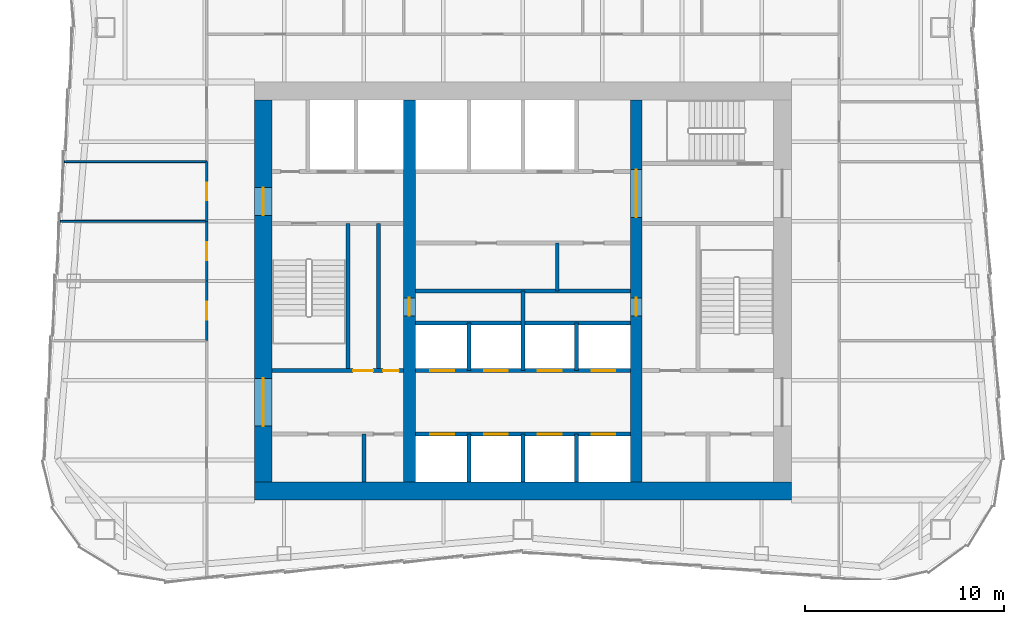
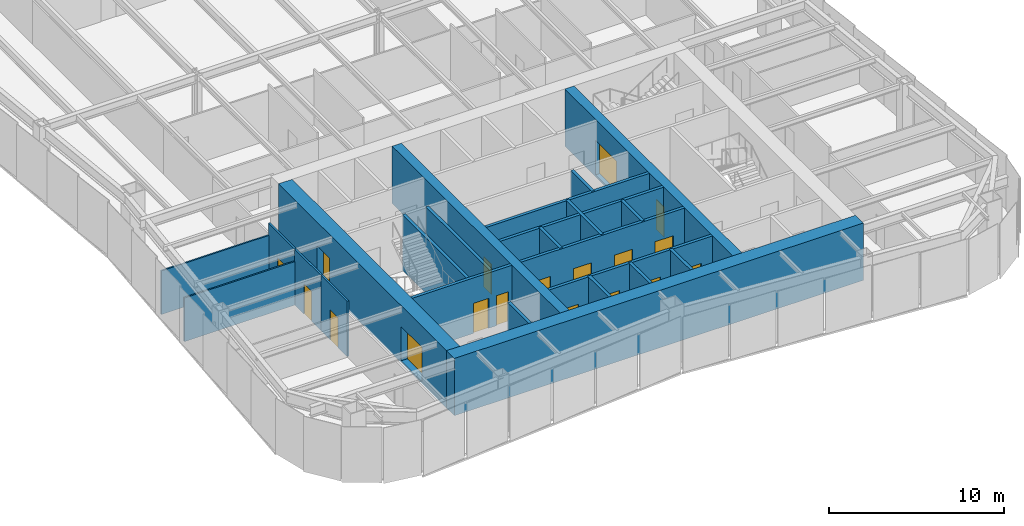
# One storey, part 5 of 10: 24 walls, 18 doors, 18 openings.
"""IFC4 building model written with IfcOpenShell, lengths in metres."""

from ifc_helpers import new_model, si_unit, direction, frame, frame_2d, origin, place, context, subcontext, project, spatial, rectangle, extrude, material, layer, layer_set, type_object, element, fill, save


model = new_model("IFC4")

# Units and contexts
model_context = context("Model", 3, precision=1e-05, world=origin(), true_north=direction((0.0, 1.0)))
body_context = subcontext(model_context, "Body", "Model", "MODEL_VIEW")
ifc_project = project(units=[si_unit("LENGTHUNIT", "METRE"), si_unit("AREAUNIT", "SQUARE_METRE"), si_unit("VOLUMEUNIT", "CUBIC_METRE"), si_unit("PLANEANGLEUNIT", "RADIAN"), si_unit("MASSUNIT", "GRAM", prefix="KILO")], contexts=[model_context])

# Site, building, storey
site_placement = place(None, origin())
site = spatial("IfcSite", under=ifc_project, at=site_placement, CompositionType="ELEMENT")
building_placement = place(site_placement, origin())
building = spatial("IfcBuilding", under=site, at=building_placement, Name="Verdant Reach Tower", CompositionType="ELEMENT")
storey_placement = place(building_placement, frame((0.0, 0.0, 190.0)))
storey = spatial("IfcBuildingStorey", under=building, at=storey_placement, Name="L43", CompositionType="ELEMENT", Elevation=190.0)

# Walls
ifc_material_1 = material(Name="Gypsum board on steel studs", Category="steel")
ifc_layer_1 = layer(ifc_material_1, 0.199951171875)
ifc_layer_set_1 = layer_set([ifc_layer_1], Name="CO-WALL-ROOM")
wall_type_1 = type_object("IfcWallType", Name="CO-WALL-ROOM", PredefinedType="PARTITIONING", material=ifc_layer_set_1)
wall_1_placement = place(storey_placement, frame((-5.39990234375, 28.0, 0.0), z_axis=(0.0, 0.0, 1.0), x_axis=(1.0, 0.0, 0.0)))
element("IfcWall", 1, at=wall_1_placement, inside=storey, type_object=wall_type_1, Name="Core partition, L43", PredefinedType="PARTITIONING", context=body_context, shape_type="SweptSolid", body=[
    extrude(rectangle(XDim=10.7998046875, YDim=0.199951171875, at=frame_2d((5.39990234375, 0.0))), origin(), (0.0, 0.0, 1.0), 3.8701171875),
])
wall_2_placement = place(storey_placement, frame((-7.97998046875, 18.39990234375, 0.0), z_axis=(0.0, 0.0, 1.0), x_axis=(0.0, 1.0, 0.0)))
element("IfcWall", 2, at=wall_2_placement, inside=storey, type_object=wall_type_1, Name="Core partition, L43", PredefinedType="PARTITIONING", context=body_context, shape_type="SweptSolid", body=[
    extrude(rectangle(XDim=2.400146484375, YDim=0.199951171875, at=frame_2d((1.2001953125, 0.0))), origin(), (0.0, 0.0, 1.0), 3.8701171875),
])
wall_3_placement = place(storey_placement, frame((-7.260009765625, 24.0, 0.0), z_axis=(0.0, 0.0, 1.0), x_axis=(0.0, 1.0, 0.0)))
element("IfcWall", 3, at=wall_3_placement, inside=storey, type_object=wall_type_1, Name="Core partition, L43", PredefinedType="PARTITIONING", context=body_context, shape_type="SweptSolid", body=[
    extrude(rectangle(XDim=7.39990234375, YDim=0.199951171875, at=frame_2d((3.699951171875, 0.0))), origin(), (0.0, 0.0, 1.0), 3.8701171875),
])
wall_4_placement = place(storey_placement, frame((1.72802734375, 28.0, 0.0), z_axis=(0.0, 0.0, 1.0), x_axis=(0.0, 1.0, 0.0)))
element("IfcWall", 4, at=wall_4_placement, inside=storey, type_object=wall_type_1, Name="Core partition, L43", PredefinedType="PARTITIONING", context=body_context, shape_type="SweptSolid", body=[
    extrude(rectangle(XDim=2.39990234375, YDim=0.199951171875, at=frame_2d((1.199951171875, 0.0))), origin(), (0.0, 0.0, 1.0), 3.8701171875),
])

# Wall, openings, doors
ifc_material_2 = material(Name="Concrete C40/50", Category="concrete")
ifc_layer_2 = layer(ifc_material_2, 0.199951171875)
ifc_layer_set_2 = layer_set([ifc_layer_2], Name="CO-WALL-SHAFT")
wall_type_2 = type_object("IfcWallType", Name="CO-WALL-SHAFT", PredefinedType="PARTITIONING", material=ifc_layer_set_2)
wall_5_placement = place(storey_placement, frame((-5.39990234375, 20.800048828125, 0.0), z_axis=(0.0, 0.0, 1.0), x_axis=(1.0, 0.0, 0.0)))
wall_5 = element("IfcWall", 5, at=wall_5_placement, inside=storey, type_object=wall_type_2, Name="Lift shaft wall, L43", PredefinedType="PARTITIONING", context=body_context, shape_type="SweptSolid", body=[
    extrude(rectangle(XDim=10.7998046875, YDim=0.199951171875, at=frame_2d((5.39990234375, 0.0))), origin(), (0.0, 0.0, 1.0), 3.8701171875),
])
opening_1_placement = place(wall_5_placement, frame((0.75, 0.0, 0.0)))
opening_1 = element("IfcOpeningElement", 6, at=opening_1_placement, cuts=wall_5, Name="Opening LD-B1", PredefinedType="OPENING", context=body_context, shape_type="SweptSolid", body=[
    extrude(rectangle(XDim=1.199951171875, YDim=2.199951171875, at=frame_2d((0.60009765625, 1.10009765625))), frame((0.0, 0.10986328125, 0.0), z_axis=(0.0, -1.0, 0.0), x_axis=(1.0, 0.0, 0.0)), (0.0, 0.0, 1.0), 0.219970703125),
])
opening_2_placement = place(wall_5_placement, frame((3.449951171875, 0.0, 0.0)))
opening_2 = element("IfcOpeningElement", 7, at=opening_2_placement, cuts=wall_5, Name="Opening LD-B2", PredefinedType="OPENING", context=body_context, shape_type="SweptSolid", body=[
    extrude(rectangle(XDim=1.199951171875, YDim=2.199951171875, at=frame_2d((0.60009765625, 1.10009765625))), frame((0.0, 0.10986328125, 0.0), z_axis=(0.0, -1.0, 0.0), x_axis=(1.0, 0.0, 0.0)), (0.0, 0.0, 1.0), 0.219970703125),
])
opening_3_placement = place(wall_5_placement, frame((6.14990234375, 0.0, 0.0)))
opening_3 = element("IfcOpeningElement", 8, at=opening_3_placement, cuts=wall_5, Name="Opening LD-B3", PredefinedType="OPENING", context=body_context, shape_type="SweptSolid", body=[
    extrude(rectangle(XDim=1.199951171875, YDim=2.199951171875, at=frame_2d((0.60009765625, 1.10009765625))), frame((0.0, 0.10986328125, 0.0), z_axis=(0.0, -1.0, 0.0), x_axis=(1.0, 0.0, 0.0)), (0.0, 0.0, 1.0), 0.219970703125),
])
opening_4_placement = place(wall_5_placement, frame((8.85009765625, 0.0, 0.0)))
opening_4 = element("IfcOpeningElement", 9, at=opening_4_placement, cuts=wall_5, Name="Opening LD-B4", PredefinedType="OPENING", context=body_context, shape_type="SweptSolid", body=[
    extrude(rectangle(XDim=1.199951171875, YDim=2.199951171875, at=frame_2d((0.60009765625, 1.10009765625))), frame((0.0, 0.10986328125, 0.0), z_axis=(0.0, -1.0, 0.0), x_axis=(1.0, 0.0, 0.0)), (0.0, 0.0, 1.0), 0.219970703125),
])
ifc_material_3 = material(Name="Stainless steel", Category="steel")
door_type_1 = type_object("IfcDoorType", Name="CO-DOOR-LANDING", OperationType="SLIDING_TO_LEFT", PredefinedType="DOOR", material=ifc_material_3)
door_1_placement = place(opening_1_placement, origin())
door_1 = element("IfcDoor", 10, at=door_1_placement, inside=storey, type_object=door_type_1, Name="Landing door B1, L43", OperationType="SLIDING_TO_LEFT", OverallHeight=2.199951171875, OverallWidth=1.199951171875, PredefinedType="DOOR", context=body_context, shape_type="SweptSolid", body=[
    extrude(rectangle(XDim=1.199951171875, YDim=2.199951171875, at=frame_2d((0.60009765625, 1.10009765625))), frame((0.0, 0.02490234375, 0.0), z_axis=(0.0, -1.0, 0.0), x_axis=(1.0, 0.0, 0.0)), (0.0, 0.0, 1.0), 0.050048828125),
])
fill(opening_1, door_1)
door_2_placement = place(opening_2_placement, origin())
door_2 = element("IfcDoor", 11, at=door_2_placement, inside=storey, type_object=door_type_1, Name="Landing door B2, L43", OperationType="SLIDING_TO_LEFT", OverallHeight=2.199951171875, OverallWidth=1.199951171875, PredefinedType="DOOR", context=body_context, shape_type="SweptSolid", body=[
    extrude(rectangle(XDim=1.199951171875, YDim=2.199951171875, at=frame_2d((0.60009765625, 1.10009765625))), frame((0.0, 0.02490234375, 0.0), z_axis=(0.0, -1.0, 0.0), x_axis=(1.0, 0.0, 0.0)), (0.0, 0.0, 1.0), 0.050048828125),
])
fill(opening_2, door_2)
door_3_placement = place(opening_3_placement, origin())
door_3 = element("IfcDoor", 12, at=door_3_placement, inside=storey, type_object=door_type_1, Name="Landing door B3, L43", OperationType="SLIDING_TO_LEFT", OverallHeight=2.199951171875, OverallWidth=1.199951171875, PredefinedType="DOOR", context=body_context, shape_type="SweptSolid", body=[
    extrude(rectangle(XDim=1.199951171875, YDim=2.199951171875, at=frame_2d((0.60009765625, 1.10009765625))), frame((0.0, 0.02490234375, 0.0), z_axis=(0.0, -1.0, 0.0), x_axis=(1.0, 0.0, 0.0)), (0.0, 0.0, 1.0), 0.050048828125),
])
fill(opening_3, door_3)
door_4_placement = place(opening_4_placement, origin())
door_4 = element("IfcDoor", 13, at=door_4_placement, inside=storey, type_object=door_type_1, Name="Landing door B4, L43", OperationType="SLIDING_TO_LEFT", OverallHeight=2.199951171875, OverallWidth=1.199951171875, PredefinedType="DOOR", context=body_context, shape_type="SweptSolid", body=[
    extrude(rectangle(XDim=1.199951171875, YDim=2.199951171875, at=frame_2d((0.60009765625, 1.10009765625))), frame((0.0, 0.02490234375, 0.0), z_axis=(0.0, -1.0, 0.0), x_axis=(1.0, 0.0, 0.0)), (0.0, 0.0, 1.0), 0.050048828125),
])
fill(opening_4, door_4)

wall_6_placement = place(storey_placement, frame((-5.39990234375, 24.0, 0.0), z_axis=(0.0, 0.0, 1.0), x_axis=(1.0, 0.0, 0.0)))
wall_6 = element("IfcWall", 14, at=wall_6_placement, inside=storey, type_object=wall_type_2, Name="Lift shaft wall, L43", PredefinedType="PARTITIONING", context=body_context, shape_type="SweptSolid", body=[
    extrude(rectangle(XDim=10.7998046875, YDim=0.199951171875, at=frame_2d((5.39990234375, 0.0))), origin(), (0.0, 0.0, 1.0), 3.8701171875),
])
opening_5_placement = place(wall_6_placement, frame((0.75, 0.0, 0.0)))
opening_5 = element("IfcOpeningElement", 15, at=opening_5_placement, cuts=wall_6, Name="Opening LD-A5", PredefinedType="OPENING", context=body_context, shape_type="SweptSolid", body=[
    extrude(rectangle(XDim=1.199951171875, YDim=2.199951171875, at=frame_2d((0.60009765625, 1.10009765625))), frame((0.0, 0.10986328125, 0.0), z_axis=(0.0, -1.0, 0.0), x_axis=(1.0, 0.0, 0.0)), (0.0, 0.0, 1.0), 0.219970703125),
])
opening_6_placement = place(wall_6_placement, frame((3.449951171875, 0.0, 0.0)))
opening_6 = element("IfcOpeningElement", 16, at=opening_6_placement, cuts=wall_6, Name="Opening LD-A6", PredefinedType="OPENING", context=body_context, shape_type="SweptSolid", body=[
    extrude(rectangle(XDim=1.199951171875, YDim=2.199951171875, at=frame_2d((0.60009765625, 1.10009765625))), frame((0.0, 0.10986328125, 0.0), z_axis=(0.0, -1.0, 0.0), x_axis=(1.0, 0.0, 0.0)), (0.0, 0.0, 1.0), 0.219970703125),
])
opening_7_placement = place(wall_6_placement, frame((6.14990234375, 0.0, 0.0)))
opening_7 = element("IfcOpeningElement", 17, at=opening_7_placement, cuts=wall_6, Name="Opening LD-A7", PredefinedType="OPENING", context=body_context, shape_type="SweptSolid", body=[
    extrude(rectangle(XDim=1.199951171875, YDim=2.199951171875, at=frame_2d((0.60009765625, 1.10009765625))), frame((0.0, 0.10986328125, 0.0), z_axis=(0.0, -1.0, 0.0), x_axis=(1.0, 0.0, 0.0)), (0.0, 0.0, 1.0), 0.219970703125),
])
opening_8_placement = place(wall_6_placement, frame((8.85009765625, 0.0, 0.0)))
opening_8 = element("IfcOpeningElement", 18, at=opening_8_placement, cuts=wall_6, Name="Opening LD-A8", PredefinedType="OPENING", context=body_context, shape_type="SweptSolid", body=[
    extrude(rectangle(XDim=1.199951171875, YDim=2.199951171875, at=frame_2d((0.60009765625, 1.10009765625))), frame((0.0, 0.10986328125, 0.0), z_axis=(0.0, -1.0, 0.0), x_axis=(1.0, 0.0, 0.0)), (0.0, 0.0, 1.0), 0.219970703125),
])
door_5_placement = place(opening_5_placement, origin())
door_5 = element("IfcDoor", 19, at=door_5_placement, inside=storey, type_object=door_type_1, Name="Landing door A5, L43", OperationType="SLIDING_TO_LEFT", OverallHeight=2.199951171875, OverallWidth=1.199951171875, PredefinedType="DOOR", context=body_context, shape_type="SweptSolid", body=[
    extrude(rectangle(XDim=1.199951171875, YDim=2.199951171875, at=frame_2d((0.60009765625, 1.10009765625))), frame((0.0, 0.02490234375, 0.0), z_axis=(0.0, -1.0, 0.0), x_axis=(1.0, 0.0, 0.0)), (0.0, 0.0, 1.0), 0.050048828125),
])
fill(opening_5, door_5)
door_6_placement = place(opening_6_placement, origin())
door_6 = element("IfcDoor", 20, at=door_6_placement, inside=storey, type_object=door_type_1, Name="Landing door A6, L43", OperationType="SLIDING_TO_LEFT", OverallHeight=2.199951171875, OverallWidth=1.199951171875, PredefinedType="DOOR", context=body_context, shape_type="SweptSolid", body=[
    extrude(rectangle(XDim=1.199951171875, YDim=2.199951171875, at=frame_2d((0.60009765625, 1.10009765625))), frame((0.0, 0.02490234375, 0.0), z_axis=(0.0, -1.0, 0.0), x_axis=(1.0, 0.0, 0.0)), (0.0, 0.0, 1.0), 0.050048828125),
])
fill(opening_6, door_6)
door_7_placement = place(opening_7_placement, origin())
door_7 = element("IfcDoor", 21, at=door_7_placement, inside=storey, type_object=door_type_1, Name="Landing door A7, L43", OperationType="SLIDING_TO_LEFT", OverallHeight=2.199951171875, OverallWidth=1.199951171875, PredefinedType="DOOR", context=body_context, shape_type="SweptSolid", body=[
    extrude(rectangle(XDim=1.199951171875, YDim=2.199951171875, at=frame_2d((0.60009765625, 1.10009765625))), frame((0.0, 0.02490234375, 0.0), z_axis=(0.0, -1.0, 0.0), x_axis=(1.0, 0.0, 0.0)), (0.0, 0.0, 1.0), 0.050048828125),
])
fill(opening_7, door_7)
door_8_placement = place(opening_8_placement, origin())
door_8 = element("IfcDoor", 22, at=door_8_placement, inside=storey, type_object=door_type_1, Name="Landing door A8, L43", OperationType="SLIDING_TO_LEFT", OverallHeight=2.199951171875, OverallWidth=1.199951171875, PredefinedType="DOOR", context=body_context, shape_type="SweptSolid", body=[
    extrude(rectangle(XDim=1.199951171875, YDim=2.199951171875, at=frame_2d((0.60009765625, 1.10009765625))), frame((0.0, 0.02490234375, 0.0), z_axis=(0.0, -1.0, 0.0), x_axis=(1.0, 0.0, 0.0)), (0.0, 0.0, 1.0), 0.050048828125),
])
fill(opening_8, door_8)

# Walls
wall_7_placement = place(storey_placement, frame((-5.39990234375, 26.39990234375, 0.0), z_axis=(0.0, 0.0, 1.0), x_axis=(1.0, 0.0, 0.0)))
element("IfcWall", 23, at=wall_7_placement, inside=storey, type_object=wall_type_2, Name="Lift shaft wall, L43", PredefinedType="PARTITIONING", context=body_context, shape_type="SweptSolid", body=[
    extrude(rectangle(XDim=10.7998046875, YDim=0.199951171875, at=frame_2d((5.39990234375, 0.0))), origin(), (0.0, 0.0, 1.0), 3.8701171875),
])
wall_8_placement = place(storey_placement, frame((-2.699951171875, 18.39990234375, 0.0), z_axis=(0.0, 0.0, 1.0), x_axis=(0.0, 1.0, 0.0)))
element("IfcWall", 24, at=wall_8_placement, inside=storey, type_object=wall_type_2, Name="Lift shaft wall, L43", PredefinedType="PARTITIONING", context=body_context, shape_type="SweptSolid", body=[
    extrude(rectangle(XDim=2.400146484375, YDim=0.199951171875, at=frame_2d((1.2001953125, 0.0))), origin(), (0.0, 0.0, 1.0), 3.8701171875),
])
wall_9_placement = place(storey_placement, frame((-2.699951171875, 24.0, 0.0), z_axis=(0.0, 0.0, 1.0), x_axis=(0.0, 1.0, 0.0)))
element("IfcWall", 25, at=wall_9_placement, inside=storey, type_object=wall_type_2, Name="Lift shaft wall, L43", PredefinedType="PARTITIONING", context=body_context, shape_type="SweptSolid", body=[
    extrude(rectangle(XDim=2.39990234375, YDim=0.199951171875, at=frame_2d((1.199951171875, 0.0))), origin(), (0.0, 0.0, 1.0), 3.8701171875),
])
wall_10_placement = place(storey_placement, frame((0.0, 18.39990234375, 0.0), z_axis=(0.0, 0.0, 1.0), x_axis=(0.0, 1.0, 0.0)))
element("IfcWall", 26, at=wall_10_placement, inside=storey, type_object=wall_type_2, Name="Lift shaft wall, L43", PredefinedType="PARTITIONING", context=body_context, shape_type="SweptSolid", body=[
    extrude(rectangle(XDim=2.400146484375, YDim=0.199951171875, at=frame_2d((1.2001953125, 0.0))), origin(), (0.0, 0.0, 1.0), 3.8701171875),
])
wall_11_placement = place(storey_placement, frame((0.0, 24.0, 0.0), z_axis=(0.0, 0.0, 1.0), x_axis=(0.0, 1.0, 0.0)))
element("IfcWall", 27, at=wall_11_placement, inside=storey, type_object=wall_type_2, Name="Lift shaft wall, L43", PredefinedType="PARTITIONING", context=body_context, shape_type="SweptSolid", body=[
    extrude(rectangle(XDim=4.0, YDim=0.199951171875, at=frame_2d((2.0, 0.0))), origin(), (0.0, 0.0, 1.0), 3.8701171875),
])
wall_12_placement = place(storey_placement, frame((2.699951171875, 18.39990234375, 0.0), z_axis=(0.0, 0.0, 1.0), x_axis=(0.0, 1.0, 0.0)))
element("IfcWall", 28, at=wall_12_placement, inside=storey, type_object=wall_type_2, Name="Lift shaft wall, L43", PredefinedType="PARTITIONING", context=body_context, shape_type="SweptSolid", body=[
    extrude(rectangle(XDim=2.400146484375, YDim=0.199951171875, at=frame_2d((1.2001953125, 0.0))), origin(), (0.0, 0.0, 1.0), 3.8701171875),
])
wall_13_placement = place(storey_placement, frame((2.699951171875, 24.0, 0.0), z_axis=(0.0, 0.0, 1.0), x_axis=(0.0, 1.0, 0.0)))
element("IfcWall", 29, at=wall_13_placement, inside=storey, type_object=wall_type_2, Name="Lift shaft wall, L43", PredefinedType="PARTITIONING", context=body_context, shape_type="SweptSolid", body=[
    extrude(rectangle(XDim=2.39990234375, YDim=0.199951171875, at=frame_2d((1.199951171875, 0.0))), origin(), (0.0, 0.0, 1.0), 3.8701171875),
])

# Wall, openings, doors
ifc_layer_3 = layer(ifc_material_2, 0.199951171875)
ifc_layer_set_3 = layer_set([ifc_layer_3], Name="CO-WALL-STAIR")
wall_type_3 = type_object("IfcWallType", Name="CO-WALL-STAIR", PredefinedType="PARTITIONING", material=ifc_layer_set_3)
wall_14_placement = place(storey_placement, frame((-12.60009765625, 24.0, 0.0), z_axis=(0.0, 0.0, 1.0), x_axis=(1.0, 0.0, 0.0)))
wall_14 = element("IfcWall", 30, at=wall_14_placement, inside=storey, type_object=wall_type_3, Name="Stair enclosure wall, L43", PredefinedType="PARTITIONING", context=body_context, shape_type="SweptSolid", body=[
    extrude(rectangle(XDim=6.60009765625, YDim=0.199951171875, at=frame_2d((3.300048828125, 0.0))), origin(), (0.0, 0.0, 1.0), 3.8701171875),
])
opening_9_placement = place(wall_14_placement, frame((4.070068359375, 0.0, 0.0)))
opening_9 = element("IfcOpeningElement", 31, at=opening_9_placement, cuts=wall_14, Name="Opening CD", PredefinedType="OPENING", context=body_context, shape_type="SweptSolid", body=[
    extrude(rectangle(XDim=1.0, YDim=2.10009765625, at=frame_2d((0.5, 1.050048828125))), frame((0.0, 0.10986328125, 0.0), z_axis=(0.0, -1.0, 0.0), x_axis=(1.0, 0.0, 0.0)), (0.0, 0.0, 1.0), 0.219970703125),
])
opening_10_placement = place(wall_14_placement, frame((5.570068359375, 0.0, 0.0)))
opening_10 = element("IfcOpeningElement", 32, at=opening_10_placement, cuts=wall_14, Name="Opening CDN", PredefinedType="OPENING", context=body_context, shape_type="SweptSolid", body=[
    extrude(rectangle(XDim=0.800048828125, YDim=2.10009765625, at=frame_2d((0.39990234375, 1.050048828125))), frame((0.0, 0.10986328125, 0.0), z_axis=(0.0, -1.0, 0.0), x_axis=(1.0, 0.0, 0.0)), (0.0, 0.0, 1.0), 0.219970703125),
])
ifc_material_4 = material(Name="Timber", Category="wood")
door_type_2 = type_object("IfcDoorType", Name="CO-DOOR-ROOM", OperationType="NOTDEFINED", PredefinedType="DOOR", material=ifc_material_4)
door_9_placement = place(opening_9_placement, origin())
door_9 = element("IfcDoor", 33, at=door_9_placement, inside=storey, type_object=door_type_2, Name="Core room door, L43", OperationType="SINGLE_SWING_RIGHT", OverallHeight=2.10009765625, OverallWidth=1.0, PredefinedType="DOOR", context=body_context, shape_type="SweptSolid", body=[
    extrude(rectangle(XDim=1.0, YDim=2.10009765625, at=frame_2d((0.5, 1.050048828125))), frame((0.0, 0.02490234375, 0.0), z_axis=(0.0, -1.0, 0.0), x_axis=(1.0, 0.0, 0.0)), (0.0, 0.0, 1.0), 0.050048828125),
])
fill(opening_9, door_9)
door_type_3 = type_object("IfcDoorType", Name="CO-DOOR-ROOM-NARROW", OperationType="NOTDEFINED", PredefinedType="DOOR", material=ifc_material_4)
door_10_placement = place(opening_10_placement, origin())
door_10 = element("IfcDoor", 34, at=door_10_placement, inside=storey, type_object=door_type_3, Name="Core room door, L43", OperationType="SINGLE_SWING_LEFT", OverallHeight=2.10009765625, OverallWidth=0.800048828125, PredefinedType="DOOR", context=body_context, shape_type="SweptSolid", body=[
    extrude(rectangle(XDim=0.800048828125, YDim=2.10009765625, at=frame_2d((0.39990234375, 1.050048828125))), frame((0.0, 0.02490234375, 0.0), z_axis=(0.0, -1.0, 0.0), x_axis=(1.0, 0.0, 0.0)), (0.0, 0.0, 1.0), 0.050048828125),
])
fill(opening_10, door_10)

# Walls
wall_15_placement = place(storey_placement, frame((-8.800048828125, 24.0, 0.0), z_axis=(0.0, 0.0, 1.0), x_axis=(0.0, 1.0, 0.0)))
element("IfcWall", 35, at=wall_15_placement, inside=storey, type_object=wall_type_3, Name="Stair enclosure wall, L43", PredefinedType="PARTITIONING", context=body_context, shape_type="SweptSolid", body=[
    extrude(rectangle(XDim=7.39990234375, YDim=0.199951171875, at=frame_2d((3.699951171875, 0.0))), origin(), (0.0, 0.0, 1.0), 3.8701171875),
])
ifc_layer_4 = layer(ifc_material_1, 0.10009765625)
ifc_layer_set_4 = layer_set([ifc_layer_4], Name="FL-W1 Partition 100")
wall_type_4 = type_object("IfcWallType", Name="FL-W1 Partition 100", PredefinedType="PARTITIONING", material=ifc_layer_set_4)
wall_16_placement = place(storey_placement, frame((-15.89990234375, 31.5, 0.0), z_axis=(0.0, 0.0, 1.0), x_axis=(-1.0, 0.0, 0.0)))
element("IfcWall", 36, at=wall_16_placement, inside=storey, type_object=wall_type_4, Name="Partition 43.41", PredefinedType="PARTITIONING", context=body_context, shape_type="SweptSolid", body=[
    extrude(rectangle(XDim=7.3525390625, YDim=0.10009765625, at=frame_2d((3.67626953125, 0.0))), origin(), (0.0, 0.0, 1.0), 3.0400390625),
])
wall_17_placement = place(storey_placement, frame((-15.89990234375, 34.5, 0.0), z_axis=(0.0, 0.0, 1.0), x_axis=(-1.0, 0.0, 0.0)))
element("IfcWall", 37, at=wall_17_placement, inside=storey, type_object=wall_type_4, Name="Partition 43.42", PredefinedType="PARTITIONING", context=body_context, shape_type="SweptSolid", body=[
    extrude(rectangle(XDim=7.1455078125, YDim=0.10009765625, at=frame_2d((3.57275390625, 0.0))), origin(), (0.0, 0.0, 1.0), 3.0400390625),
])

# Wall, opening, door
ifc_material_5 = material(Name="Gypsum board on steel studs, fire rated", Category="steel")
ifc_layer_5 = layer(ifc_material_5, 0.125)
ifc_layer_set_5 = layer_set([ifc_layer_5], Name="FL-W2 Corridor wall 125")
wall_type_5 = type_object("IfcWallType", Name="FL-W2 Corridor wall 125", PredefinedType="PARTITIONING", material=ifc_layer_set_5)
wall_18_placement = place(storey_placement, frame((-15.89990234375, 25.5, 0.0), z_axis=(0.0, 0.0, 1.0), x_axis=(0.0, 1.0, 0.0)))
wall_18 = element("IfcWall", 38, at=wall_18_placement, inside=storey, type_object=wall_type_5, Name="Partition 43.08", PredefinedType="PARTITIONING", context=body_context, shape_type="SweptSolid", body=[
    extrude(rectangle(XDim=3.0, YDim=0.125, at=frame_2d((1.5, 0.0))), origin(), (0.0, 0.0, 1.0), 3.8701171875),
])
opening_11_placement = place(wall_18_placement, frame((1.050048828125, 0.0, 0.0)))
opening_11 = element("IfcOpeningElement", 39, at=opening_11_placement, cuts=wall_18, Name="Opening D1", PredefinedType="OPENING", context=body_context, shape_type="SweptSolid", body=[
    extrude(rectangle(XDim=0.89990234375, YDim=2.10009765625, at=frame_2d((0.449951171875, 1.050048828125))), frame((0.0, 0.072509765625, 0.0), z_axis=(0.0, -1.0, 0.0), x_axis=(1.0, 0.0, 0.0)), (0.0, 0.0, 1.0), 0.14501953125),
])
ifc_material_6 = material(Name="Painted timber door leaf", Category="wood")
door_type_4 = type_object("IfcDoorType", Name="FL-D1 Door 900x2100", OperationType="NOTDEFINED", PredefinedType="DOOR", material=ifc_material_6)
door_11_placement = place(opening_11_placement, origin())
door_11 = element("IfcDoor", 40, at=door_11_placement, inside=storey, type_object=door_type_4, Name="Door 43-006", OperationType="SINGLE_SWING_RIGHT", OverallHeight=2.10009765625, OverallWidth=0.89990234375, PredefinedType="DOOR", context=body_context, shape_type="SweptSolid", body=[
    extrude(rectangle(XDim=0.89990234375, YDim=2.10009765625, at=frame_2d((0.449951171875, 1.050048828125))), frame((0.0, 0.02490234375, 0.0), z_axis=(0.0, -1.0, 0.0), x_axis=(1.0, 0.0, 0.0)), (0.0, 0.0, 1.0), 0.050048828125),
])
fill(opening_11, door_11)

wall_19_placement = place(storey_placement, frame((-15.89990234375, 28.5, 0.0), z_axis=(0.0, 0.0, 1.0), x_axis=(0.0, 1.0, 0.0)))
wall_19 = element("IfcWall", 41, at=wall_19_placement, inside=storey, type_object=wall_type_5, Name="Partition 43.09", PredefinedType="PARTITIONING", context=body_context, shape_type="SweptSolid", body=[
    extrude(rectangle(XDim=3.0, YDim=0.125, at=frame_2d((1.5, 0.0))), origin(), (0.0, 0.0, 1.0), 3.8701171875),
])
opening_12_placement = place(wall_19_placement, frame((1.050048828125, 0.0, 0.0)))
opening_12 = element("IfcOpeningElement", 42, at=opening_12_placement, cuts=wall_19, Name="Opening D1", PredefinedType="OPENING", context=body_context, shape_type="SweptSolid", body=[
    extrude(rectangle(XDim=0.89990234375, YDim=2.10009765625, at=frame_2d((0.449951171875, 1.050048828125))), frame((0.0, 0.072509765625, 0.0), z_axis=(0.0, -1.0, 0.0), x_axis=(1.0, 0.0, 0.0)), (0.0, 0.0, 1.0), 0.14501953125),
])
door_12_placement = place(opening_12_placement, origin())
door_12 = element("IfcDoor", 43, at=door_12_placement, inside=storey, type_object=door_type_4, Name="Door 43-007", OperationType="SINGLE_SWING_LEFT", OverallHeight=2.10009765625, OverallWidth=0.89990234375, PredefinedType="DOOR", context=body_context, shape_type="SweptSolid", body=[
    extrude(rectangle(XDim=0.89990234375, YDim=2.10009765625, at=frame_2d((0.449951171875, 1.050048828125))), frame((0.0, 0.02490234375, 0.0), z_axis=(0.0, -1.0, 0.0), x_axis=(1.0, 0.0, 0.0)), (0.0, 0.0, 1.0), 0.050048828125),
])
fill(opening_12, door_12)

wall_20_placement = place(storey_placement, frame((-15.89990234375, 31.5, 0.0), z_axis=(0.0, 0.0, 1.0), x_axis=(0.0, 1.0, 0.0)))
wall_20 = element("IfcWall", 44, at=wall_20_placement, inside=storey, type_object=wall_type_5, Name="Partition 43.10", PredefinedType="PARTITIONING", context=body_context, shape_type="SweptSolid", body=[
    extrude(rectangle(XDim=3.0, YDim=0.125, at=frame_2d((1.5, 0.0))), origin(), (0.0, 0.0, 1.0), 3.8701171875),
])
opening_13_placement = place(wall_20_placement, frame((1.050048828125, 0.0, 0.0)))
opening_13 = element("IfcOpeningElement", 45, at=opening_13_placement, cuts=wall_20, Name="Opening D1", PredefinedType="OPENING", context=body_context, shape_type="SweptSolid", body=[
    extrude(rectangle(XDim=0.89990234375, YDim=2.10009765625, at=frame_2d((0.449951171875, 1.050048828125))), frame((0.0, 0.072509765625, 0.0), z_axis=(0.0, -1.0, 0.0), x_axis=(1.0, 0.0, 0.0)), (0.0, 0.0, 1.0), 0.14501953125),
])
door_13_placement = place(opening_13_placement, origin())
door_13 = element("IfcDoor", 46, at=door_13_placement, inside=storey, type_object=door_type_4, Name="Door 43-008", OperationType="SINGLE_SWING_RIGHT", OverallHeight=2.10009765625, OverallWidth=0.89990234375, PredefinedType="DOOR", context=body_context, shape_type="SweptSolid", body=[
    extrude(rectangle(XDim=0.89990234375, YDim=2.10009765625, at=frame_2d((0.449951171875, 1.050048828125))), frame((0.0, 0.02490234375, 0.0), z_axis=(0.0, -1.0, 0.0), x_axis=(1.0, 0.0, 0.0)), (0.0, 0.0, 1.0), 0.050048828125),
])
fill(opening_13, door_13)

ifc_material_7 = material(Name="Concrete C70/85", Category="concrete")
ifc_layer_6 = layer(ifc_material_7, 0.60009765625)
ifc_layer_set_6 = layer_set([ifc_layer_6], Name="ST-CORE-WALL-600")
wall_type_6 = type_object("IfcWallType", Name="ST-CORE-WALL-600", PredefinedType="SHEAR", material=ifc_layer_set_6)
wall_21_placement = place(storey_placement, frame((-5.699951171875, 18.39990234375, -0.1298828125), z_axis=(0.0, 0.0, 1.0), x_axis=(0.0, 1.0, 0.0)))
wall_21 = element("IfcWall", 47, at=wall_21_placement, inside=storey, type_object=wall_type_6, Name="Core wall XW, L43", PredefinedType="SHEAR", context=body_context, shape_type="SweptSolid", body=[
    extrude(rectangle(XDim=19.2001953125, YDim=0.60009765625, at=frame_2d((9.60009765625, 0.0))), origin(), (0.0, 0.0, 1.0), 4.0),
])
opening_14_placement = place(wall_21_placement, frame((8.35009765625, 0.0, 0.1298828125)))
opening_14 = element("IfcOpeningElement", 48, at=opening_14_placement, cuts=wall_21, Name="Opening RD", PredefinedType="OPENING", context=body_context, shape_type="SweptSolid", body=[
    extrude(rectangle(XDim=0.89990234375, YDim=2.10009765625, at=frame_2d((0.449951171875, 1.050048828125))), frame((0.0, 0.31005859375, 0.0), z_axis=(0.0, -1.0, 0.0), x_axis=(1.0, 0.0, 0.0)), (0.0, 0.0, 1.0), 0.6201171875),
])
ifc_material_8 = material(Name="Steel", Category="steel")
door_type_5 = type_object("IfcDoorType", Name="CO-DOOR-RISER", OperationType="NOTDEFINED", PredefinedType="DOOR", material=ifc_material_8)
door_14_placement = place(opening_14_placement, origin())
door_14 = element("IfcDoor", 49, at=door_14_placement, inside=storey, type_object=door_type_5, Name="Riser door, L43", OperationType="SINGLE_SWING_LEFT", OverallHeight=2.10009765625, OverallWidth=0.89990234375, PredefinedType="DOOR", context=body_context, shape_type="SweptSolid", body=[
    extrude(rectangle(XDim=0.89990234375, YDim=2.10009765625, at=frame_2d((0.449951171875, 1.050048828125))), frame((0.0, 0.02490234375, 0.0), z_axis=(0.0, -1.0, 0.0), x_axis=(1.0, 0.0, 0.0)), (0.0, 0.0, 1.0), 0.050048828125),
])
fill(opening_14, door_14)

# Wall, openings, doors
wall_22_placement = place(storey_placement, frame((5.699951171875, 18.39990234375, -0.1298828125), z_axis=(0.0, 0.0, 1.0), x_axis=(0.0, 1.0, 0.0)))
wall_22 = element("IfcWall", 50, at=wall_22_placement, inside=storey, type_object=wall_type_6, Name="Core wall XE, L43", PredefinedType="SHEAR", context=body_context, shape_type="SweptSolid", body=[
    extrude(rectangle(XDim=19.2001953125, YDim=0.60009765625, at=frame_2d((9.60009765625, 0.0))), origin(), (0.0, 0.0, 1.0), 4.0),
])
opening_15_placement = place(wall_22_placement, frame((8.35009765625, 0.0, 0.1298828125)))
opening_15 = element("IfcOpeningElement", 51, at=opening_15_placement, cuts=wall_22, Name="Opening RD", PredefinedType="OPENING", context=body_context, shape_type="SweptSolid", body=[
    extrude(rectangle(XDim=0.89990234375, YDim=2.10009765625, at=frame_2d((0.449951171875, 1.050048828125))), frame((0.0, 0.31005859375, 0.0), z_axis=(0.0, -1.0, 0.0), x_axis=(1.0, 0.0, 0.0)), (0.0, 0.0, 1.0), 0.6201171875),
])
opening_16_placement = place(wall_22_placement, frame((13.300048828125, 0.0, 0.1298828125)))
opening_16 = element("IfcOpeningElement", 52, at=opening_16_placement, cuts=wall_22, Name="Opening LB", PredefinedType="OPENING", context=body_context, shape_type="SweptSolid", body=[
    extrude(rectangle(XDim=2.39990234375, YDim=2.39990234375, at=frame_2d((1.199951171875, 1.199951171875))), frame((0.0, 0.31005859375, 0.0), z_axis=(0.0, -1.0, 0.0), x_axis=(1.0, 0.0, 0.0)), (0.0, 0.0, 1.0), 0.6201171875),
])
ifc_material_9 = material(Name="Glass and steel", Category="steel")
door_type_6 = type_object("IfcDoorType", Name="CO-DOOR-LOBBY", OperationType="DOUBLE_DOOR_SINGLE_SWING", PredefinedType="DOOR", material=ifc_material_9)
door_15_placement = place(opening_16_placement, origin())
door_15 = element("IfcDoor", 53, at=door_15_placement, inside=storey, type_object=door_type_6, Name="Core entrance door, L43", OperationType="DOUBLE_DOOR_SINGLE_SWING", OverallHeight=2.39990234375, OverallWidth=2.39990234375, PredefinedType="DOOR", context=body_context, shape_type="SweptSolid", body=[
    extrude(rectangle(XDim=2.39990234375, YDim=2.39990234375, at=frame_2d((1.199951171875, 1.199951171875))), frame((0.0, 0.02490234375, 0.0), z_axis=(0.0, -1.0, 0.0), x_axis=(1.0, 0.0, 0.0)), (0.0, 0.0, 1.0), 0.050048828125),
])
fill(opening_16, door_15)
door_16_placement = place(opening_15_placement, origin())
door_16 = element("IfcDoor", 54, at=door_16_placement, inside=storey, type_object=door_type_5, Name="Riser door, L43", OperationType="SINGLE_SWING_RIGHT", OverallHeight=2.10009765625, OverallWidth=0.89990234375, PredefinedType="DOOR", context=body_context, shape_type="SweptSolid", body=[
    extrude(rectangle(XDim=0.89990234375, YDim=2.10009765625, at=frame_2d((0.449951171875, 1.050048828125))), frame((0.0, 0.02490234375, 0.0), z_axis=(0.0, -1.0, 0.0), x_axis=(1.0, 0.0, 0.0)), (0.0, 0.0, 1.0), 0.050048828125),
])
fill(opening_15, door_16)

# Wall
ifc_layer_7 = layer(ifc_material_7, 0.89990234375)
ifc_layer_set_7 = layer_set([ifc_layer_7], Name="ST-CORE-WALL-900")
wall_type_7 = type_object("IfcWallType", Name="ST-CORE-WALL-900", PredefinedType="SHEAR", material=ifc_layer_set_7)
wall_23_placement = place(storey_placement, frame((-13.5, 17.949951171875, -0.1298828125), z_axis=(0.0, 0.0, 1.0), x_axis=(1.0, 0.0, 0.0)))
element("IfcWall", 55, at=wall_23_placement, inside=storey, type_object=wall_type_7, Name="Core wall S, L43", PredefinedType="SHEAR", context=body_context, shape_type="SweptSolid", body=[
    extrude(rectangle(XDim=27.0, YDim=0.89990234375, at=frame_2d((13.5, 0.0))), origin(), (0.0, 0.0, 1.0), 4.0),
])

# Wall, openings, doors
wall_24_placement = place(storey_placement, frame((-13.050048828125, 18.39990234375, -0.1298828125), z_axis=(0.0, 0.0, 1.0), x_axis=(0.0, 1.0, 0.0)))
wall_24 = element("IfcWall", 56, at=wall_24_placement, inside=storey, type_object=wall_type_7, Name="Core wall W, L43", PredefinedType="SHEAR", context=body_context, shape_type="SweptSolid", body=[
    extrude(rectangle(XDim=19.2001953125, YDim=0.89990234375, at=frame_2d((9.60009765625, 0.0))), origin(), (0.0, 0.0, 1.0), 4.0),
])
opening_17_placement = place(wall_24_placement, frame((2.800048828125, 0.0, 0.1298828125)))
opening_17 = element("IfcOpeningElement", 57, at=opening_17_placement, cuts=wall_24, Name="Opening LB", PredefinedType="OPENING", context=body_context, shape_type="SweptSolid", body=[
    extrude(rectangle(XDim=2.39990234375, YDim=2.39990234375, at=frame_2d((1.199951171875, 1.199951171875))), frame((0.0, 0.4599609375, 0.0), z_axis=(0.0, -1.0, 0.0), x_axis=(1.0, 0.0, 0.0)), (0.0, 0.0, 1.0), 0.919921875),
])
opening_18_placement = place(wall_24_placement, frame((13.39990234375, 0.0, 0.1298828125)))
opening_18 = element("IfcOpeningElement", 58, at=opening_18_placement, cuts=wall_24, Name="Opening FL", PredefinedType="OPENING", context=body_context, shape_type="SweptSolid", body=[
    extrude(rectangle(XDim=1.39990234375, YDim=2.199951171875, at=frame_2d((0.699951171875, 1.10009765625))), frame((0.0, 0.4599609375, 0.0), z_axis=(0.0, -1.0, 0.0), x_axis=(1.0, 0.0, 0.0)), (0.0, 0.0, 1.0), 0.919921875),
])
door_type_7 = type_object("IfcDoorType", Name="CO-DOOR-FFL", OperationType="NOTDEFINED", PredefinedType="DOOR", material=ifc_material_8)
door_17_placement = place(opening_18_placement, origin())
door_17 = element("IfcDoor", 59, at=door_17_placement, inside=storey, type_object=door_type_7, Name="Core entrance door, L43", OperationType="SINGLE_SWING_RIGHT", OverallHeight=2.199951171875, OverallWidth=1.39990234375, PredefinedType="DOOR", context=body_context, shape_type="SweptSolid", body=[
    extrude(rectangle(XDim=1.39990234375, YDim=2.199951171875, at=frame_2d((0.699951171875, 1.10009765625))), frame((0.0, 0.02490234375, 0.0), z_axis=(0.0, -1.0, 0.0), x_axis=(1.0, 0.0, 0.0)), (0.0, 0.0, 1.0), 0.050048828125),
])
fill(opening_18, door_17)
door_18_placement = place(opening_17_placement, origin())
door_18 = element("IfcDoor", 60, at=door_18_placement, inside=storey, type_object=door_type_6, Name="Core entrance door, L43", OperationType="DOUBLE_DOOR_SINGLE_SWING", OverallHeight=2.39990234375, OverallWidth=2.39990234375, PredefinedType="DOOR", context=body_context, shape_type="SweptSolid", body=[
    extrude(rectangle(XDim=2.39990234375, YDim=2.39990234375, at=frame_2d((1.199951171875, 1.199951171875))), frame((0.0, 0.02490234375, 0.0), z_axis=(0.0, -1.0, 0.0), x_axis=(1.0, 0.0, 0.0)), (0.0, 0.0, 1.0), 0.050048828125),
])
fill(opening_17, door_18)

save(model, "model.ifc")
